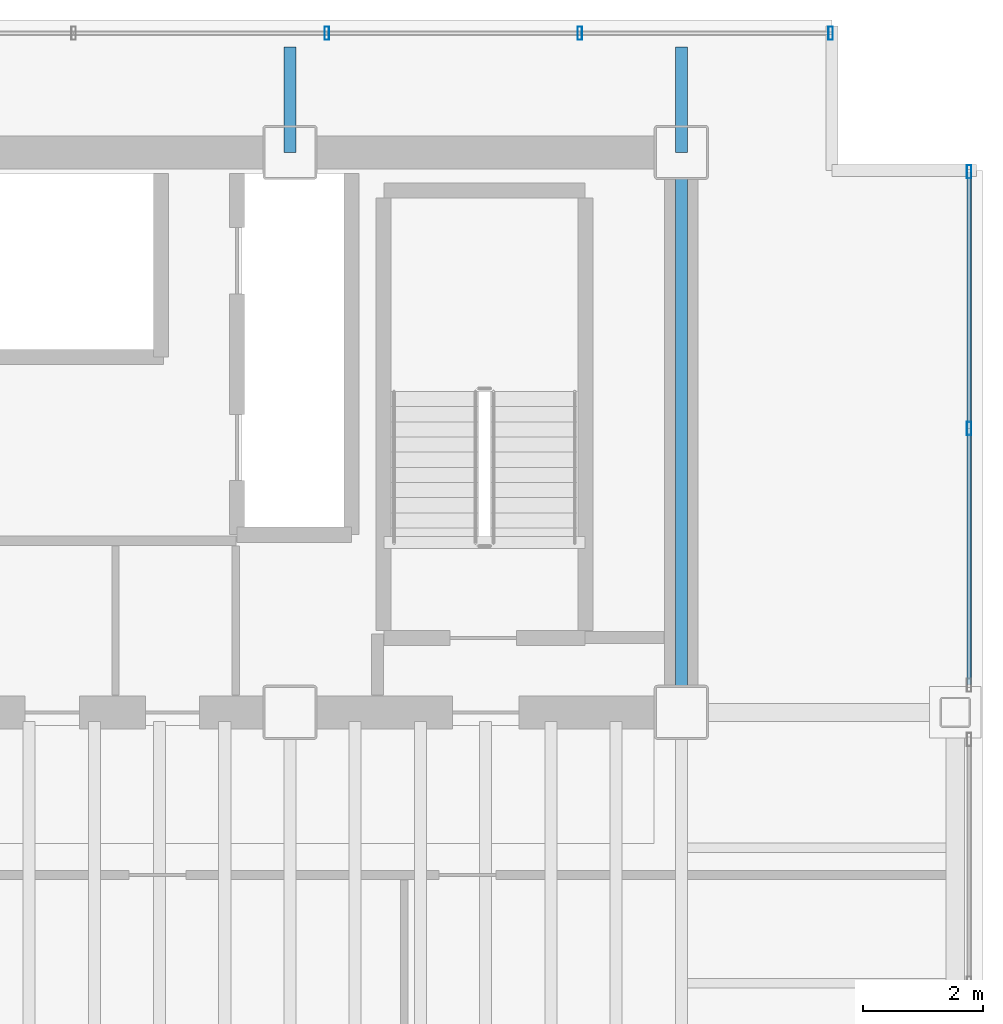
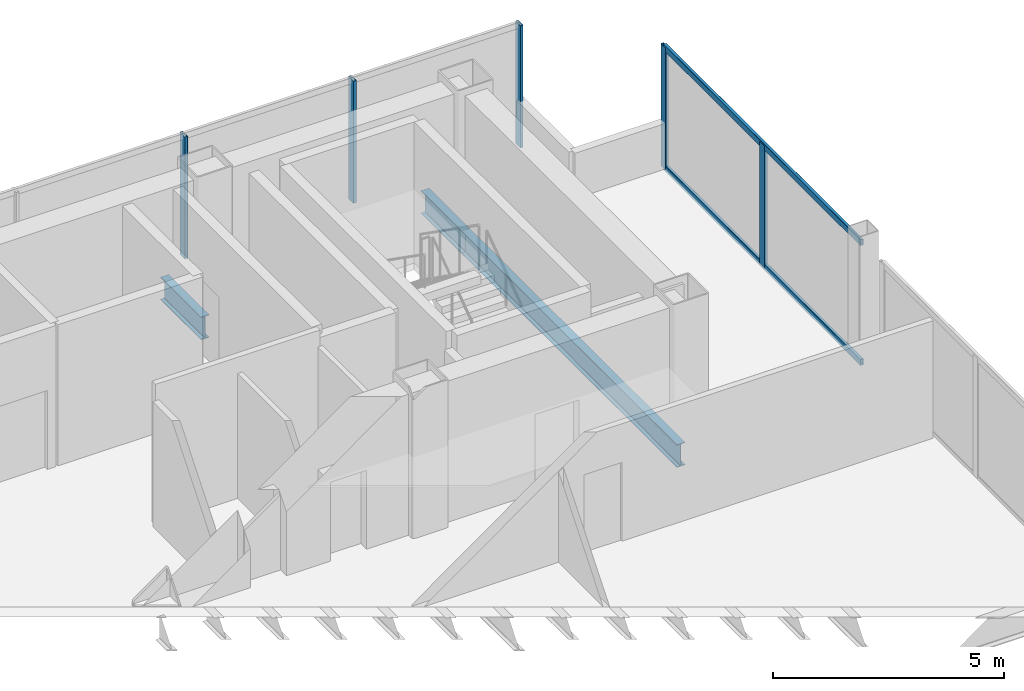
# One storey, part 16 of 20: 7 members, 3 beams, 2 elements without a shape of their own.
"""IFC4 building model written with IfcOpenShell, lengths in metres."""

from ifc_helpers import new_model, si_unit, direction, frame, origin, origin_2d, place, context, subcontext, project, spatial, hollow_rectangle, i_section, extrude, material, material_profile, profile_set, type_object, element, aggregate, save


model = new_model("IFC4")

# Units and contexts
model_context = context("Model", 3, precision=1e-05, world=origin(), true_north=direction((0.0, 1.0)))
body_context = subcontext(model_context, "Body", "Model", "MODEL_VIEW")
ifc_project = project(units=[si_unit("LENGTHUNIT", "METRE"), si_unit("AREAUNIT", "SQUARE_METRE"), si_unit("VOLUMEUNIT", "CUBIC_METRE"), si_unit("PLANEANGLEUNIT", "RADIAN"), si_unit("MASSUNIT", "GRAM", prefix="KILO")], contexts=[model_context])

# Site, building, storey
site_placement = place(None, origin())
site = spatial("IfcSite", under=ifc_project, at=site_placement, CompositionType="ELEMENT")
building_placement = place(site_placement, origin())
building = spatial("IfcBuilding", under=site, at=building_placement, Name="Noeulbin Bourse Tower", CompositionType="ELEMENT")
storey_placement = place(building_placement, frame((0.0, 0.0, 126.60009765625)))
storey = spatial("IfcBuildingStorey", under=building, at=storey_placement, Name="L31", CompositionType="ELEMENT", Elevation=126.60009765625)

# Beams
ifc_material_1 = material(Name="Steel S355", Category="steel")
ifc_material_profile_1 = material_profile(ifc_material_1, i_section(OverallWidth=0.199951171875, OverallDepth=0.60009765625, WebThickness=0.010986328125, FlangeThickness=0.01708984375, FilletRadius=0.02197265625, at=origin_2d()), Name="H-600x200x11x17", Category="LoadBearing")
ifc_profile_set_1 = profile_set([ifc_material_profile_1], Name="Steel S355")
beam_type = type_object("IfcBeamType", Name="BM-GRD-600", PredefinedType="USERDEFINED", material=ifc_profile_set_1)
beam_1_placement = place(storey_placement, frame((37.5, 38.300048828125, -0.47998046875), z_axis=(0.0, 1.0, 0.0), x_axis=(-1.0, 0.0, 0.0)))
element("IfcBeam", 1, at=beam_1_placement, inside=storey, type_object=beam_type, Name="Tower Primary Girder NS L31-4.4", ObjectType="GIRDER", PredefinedType="USERDEFINED", context=body_context, shape_type="SweptSolid", body=[
    extrude(i_section(OverallWidth=0.199951171875, OverallDepth=0.60009765625, WebThickness=0.010986328125, FlangeThickness=0.01708984375, FilletRadius=0.02197265625, at=origin_2d()), origin(), (0.0, 0.0, 1.0), 1.75),
])
beam_2_placement = place(storey_placement, frame((44.0, 29.0, -0.47998046875), z_axis=(0.0, 1.0, 0.0), x_axis=(-1.0, 0.0, 0.0)))
element("IfcBeam", 2, at=beam_2_placement, inside=storey, type_object=beam_type, Name="Tower Primary Girder NS L31-5.3", ObjectType="GIRDER", PredefinedType="USERDEFINED", context=body_context, shape_type="SweptSolid", body=[
    extrude(i_section(OverallWidth=0.199951171875, OverallDepth=0.60009765625, WebThickness=0.010986328125, FlangeThickness=0.01708984375, FilletRadius=0.02197265625, at=origin_2d()), origin(), (0.0, 0.0, 1.0), 9.300048828125),
])
beam_3_placement = place(storey_placement, frame((44.0, 38.300048828125, -0.47998046875), z_axis=(0.0, 1.0, 0.0), x_axis=(-1.0, 0.0, 0.0)))
element("IfcBeam", 3, at=beam_3_placement, inside=storey, type_object=beam_type, Name="Tower Primary Girder NS L31-5.4", ObjectType="GIRDER", PredefinedType="USERDEFINED", context=body_context, shape_type="SweptSolid", body=[
    extrude(i_section(OverallWidth=0.199951171875, OverallDepth=0.60009765625, WebThickness=0.010986328125, FlangeThickness=0.01708984375, FilletRadius=0.02197265625, at=origin_2d()), origin(), (0.0, 0.0, 1.0), 1.75),
])

# Curtain wall, members
ifc_material_2 = material(Name="Dark Tinted Triple Glazing", Category="glass")
curtain_wall_type = type_object("IfcCurtainWallType", Name="CW-SYS-3", PredefinedType="NOTDEFINED", material=ifc_material_2)
curtain_wall_1_placement = place(storey_placement, origin())
curtain_wall_1 = element("IfcCurtainWall", 4, at=curtain_wall_1_placement, inside=storey, type_object=curtain_wall_type, Name="Unitised Curtain Wall CW-L31-N", PredefinedType="NOTDEFINED")
ifc_material_3 = material(Name="Anodised Aluminium 6063-T6", Category="aluminium")
ifc_material_profile_2 = material_profile(ifc_material_3, hollow_rectangle(XDim=0.074951171875, YDim=0.219970703125, WallThickness=0.0048828125, InnerFilletRadius=0.00244140625, OuterFilletRadius=0.0048828125, at=origin_2d()), Name="ALU-MULL-75x220x5", Category="LoadBearing")
ifc_profile_set_2 = profile_set([ifc_material_profile_2], Name="Anodised Aluminium 6063-T6")
member_type_1 = type_object("IfcMemberType", Name="CW-SYS-3-MUL", PredefinedType="MULLION", material=ifc_profile_set_2)
member_1_placement = place(storey_placement, frame((38.112060546875, 40.280029296875, -0.02001953125), z_axis=(0.0, 0.0, 1.0), x_axis=(1.0, 0.0, 0.0)))
member_1 = element("IfcMember", 5, at=member_1_placement, type_object=member_type_1, Name="Curtain Wall Mullion CW-L31-N-M08", PredefinedType="MULLION", context=body_context, shape_type="SweptSolid", body=[
    extrude(hollow_rectangle(XDim=0.074951171875, YDim=0.219970703125, WallThickness=0.0048828125, InnerFilletRadius=0.00244140625, OuterFilletRadius=0.0048828125, at=origin_2d()), origin(), (0.0, 0.0, 1.0), 3.219970703125),
])
member_2_placement = place(storey_placement, frame((42.31591796875, 40.280029296875, -0.02001953125), z_axis=(0.0, 0.0, 1.0), x_axis=(1.0, 0.0, 0.0)))
member_2 = element("IfcMember", 6, at=member_2_placement, type_object=member_type_1, Name="Curtain Wall Mullion CW-L31-N-M09", PredefinedType="MULLION", context=body_context, shape_type="SweptSolid", body=[
    extrude(hollow_rectangle(XDim=0.074951171875, YDim=0.219970703125, WallThickness=0.0048828125, InnerFilletRadius=0.00244140625, OuterFilletRadius=0.0048828125, at=origin_2d()), origin(), (0.0, 0.0, 1.0), 3.219970703125),
])
member_3_placement = place(storey_placement, frame((46.47998046875, 40.280029296875, -0.02001953125), z_axis=(0.0, 0.0, 1.0), x_axis=(1.0, 0.0, 0.0)))
member_3 = element("IfcMember", 7, at=member_3_placement, type_object=member_type_1, Name="Curtain Wall Mullion CW-L31-N-M10", PredefinedType="MULLION", context=body_context, shape_type="SweptSolid", body=[
    extrude(hollow_rectangle(XDim=0.074951171875, YDim=0.219970703125, WallThickness=0.0048828125, InnerFilletRadius=0.00244140625, OuterFilletRadius=0.0048828125, at=origin_2d()), origin(), (0.0, 0.0, 1.0), 3.219970703125),
])
aggregate(curtain_wall_1, [member_1, member_2, member_3])

curtain_wall_2_placement = place(storey_placement, origin())
curtain_wall_2 = element("IfcCurtainWall", 8, at=curtain_wall_2_placement, inside=storey, type_object=curtain_wall_type, Name="Unitised Curtain Wall CW-L31-E-S3", PredefinedType="NOTDEFINED")
member_4_placement = place(storey_placement, frame((48.780029296875, 33.715087890625, -0.02001953125), z_axis=(0.0, 0.0, 1.0), x_axis=(1.0, 0.0, 0.0)))
member_4 = element("IfcMember", 9, at=member_4_placement, type_object=member_type_1, Name="Curtain Wall Mullion CW-L31-E-S3-M01", PredefinedType="MULLION", context=body_context, shape_type="SweptSolid", body=[
    extrude(hollow_rectangle(XDim=0.074951171875, YDim=0.219970703125, WallThickness=0.0048828125, InnerFilletRadius=0.00244140625, OuterFilletRadius=0.0048828125, at=origin_2d()), origin(), (0.0, 0.0, 1.0), 3.219970703125),
])
member_5_placement = place(storey_placement, frame((48.780029296875, 37.97998046875, -0.02001953125), z_axis=(0.0, 0.0, 1.0), x_axis=(1.0, 0.0, 0.0)))
member_5 = element("IfcMember", 10, at=member_5_placement, type_object=member_type_1, Name="Curtain Wall Mullion CW-L31-E-S3-M02", PredefinedType="MULLION", context=body_context, shape_type="SweptSolid", body=[
    extrude(hollow_rectangle(XDim=0.074951171875, YDim=0.219970703125, WallThickness=0.0048828125, InnerFilletRadius=0.00244140625, OuterFilletRadius=0.0048828125, at=origin_2d()), origin(), (0.0, 0.0, 1.0), 3.219970703125),
])
ifc_material_profile_3 = material_profile(ifc_material_3, hollow_rectangle(XDim=0.074951171875, YDim=0.159912109375, WallThickness=0.0048828125, InnerFilletRadius=0.00244140625, OuterFilletRadius=0.0048828125, at=origin_2d()), Name="ALU-TRAN-75x160x5", Category="LoadBearing")
ifc_profile_set_3 = profile_set([ifc_material_profile_3], Name="Anodised Aluminium 6063-T6")
member_type_2 = type_object("IfcMemberType", Name="CW-SYS-3-TRN", PredefinedType="USERDEFINED", material=ifc_profile_set_3)
member_6_placement = place(storey_placement, frame((48.780029296875, 29.4599609375, 0.010009765625), z_axis=(0.0, 1.0, 0.0), x_axis=(-1.0, 0.0, 0.0)))
member_6 = element("IfcMember", 11, at=member_6_placement, type_object=member_type_2, Name="Curtain Wall Transom CW-L31-E-S3-T00", ObjectType="TRANSOM", PredefinedType="USERDEFINED", context=body_context, shape_type="SweptSolid", body=[
    extrude(hollow_rectangle(XDim=0.074951171875, YDim=0.159912109375, WallThickness=0.0048828125, InnerFilletRadius=0.00244140625, OuterFilletRadius=0.0048828125, at=origin_2d()), origin(), (0.0, 0.0, 1.0), 8.510009765625),
])
member_7_placement = place(storey_placement, frame((48.780029296875, 29.4599609375, 3.169921875), z_axis=(0.0, 1.0, 0.0), x_axis=(-1.0, 0.0, 0.0)))
member_7 = element("IfcMember", 12, at=member_7_placement, type_object=member_type_2, Name="Curtain Wall Transom CW-L31-E-S3-T01", ObjectType="TRANSOM", PredefinedType="USERDEFINED", context=body_context, shape_type="SweptSolid", body=[
    extrude(hollow_rectangle(XDim=0.074951171875, YDim=0.159912109375, WallThickness=0.0048828125, InnerFilletRadius=0.00244140625, OuterFilletRadius=0.0048828125, at=origin_2d()), origin(), (0.0, 0.0, 1.0), 8.510009765625),
])
aggregate(curtain_wall_2, [member_4, member_5, member_6, member_7])

save(model, "model.ifc")
